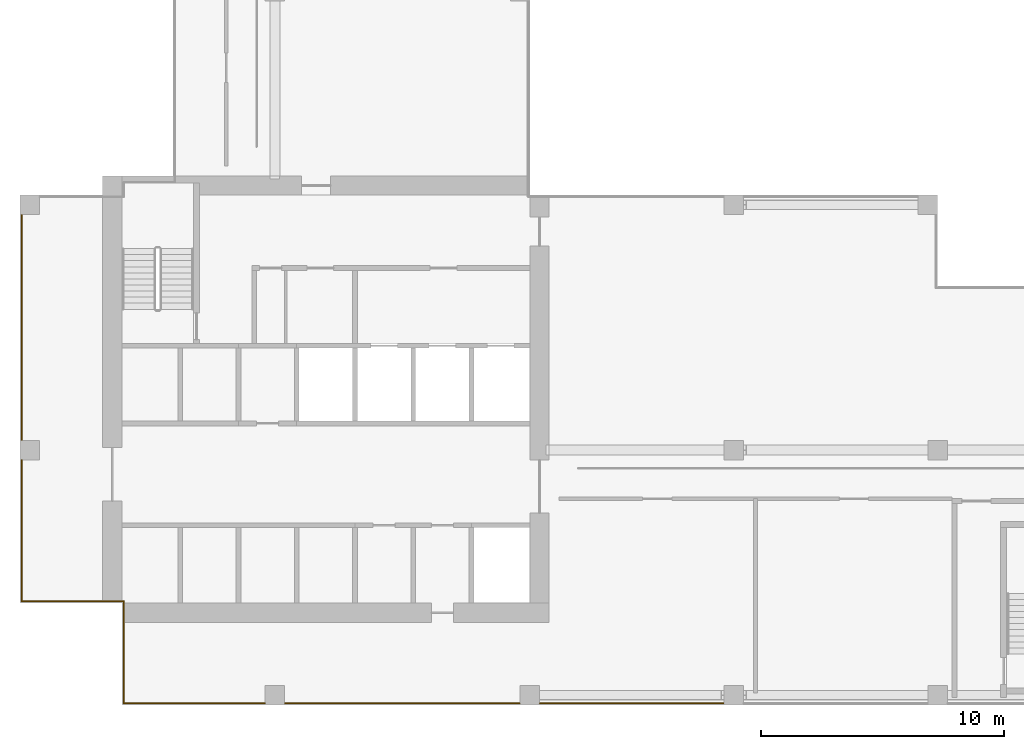
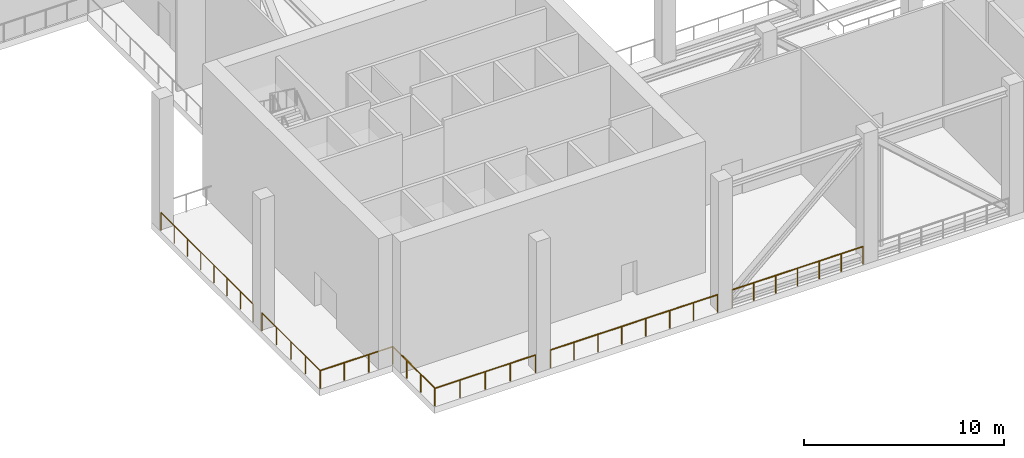
# One storey, part 4 of 9: 7 railings.
"""IFC4 building model written with IfcOpenShell, lengths in metres."""

from ifc_helpers import new_model, si_unit, direction, frame, origin, origin_2d, place, context, subcontext, project, spatial, circle, extrude, source, transform, mapped, material, type_object, element, save


model = new_model("IFC4")

# Units and contexts
model_context = context("Model", 3, precision=1e-05, world=origin(), true_north=direction((0.0, 1.0)))
body_context = subcontext(model_context, "Body", "Model", "MODEL_VIEW")
ifc_project = project(units=[si_unit("LENGTHUNIT", "METRE"), si_unit("AREAUNIT", "SQUARE_METRE"), si_unit("VOLUMEUNIT", "CUBIC_METRE"), si_unit("PLANEANGLEUNIT", "RADIAN"), si_unit("MASSUNIT", "GRAM", prefix="KILO")], contexts=[model_context])

# Site, building, storey
site_placement = place(None, origin())
site = spatial("IfcSite", under=ifc_project, at=site_placement, CompositionType="ELEMENT")
building_placement = place(site_placement, origin())
building = spatial("IfcBuilding", under=site, at=building_placement, Name="Aurelian Terraces", CompositionType="ELEMENT")
storey_placement = place(building_placement, frame((0.0, 0.0, 269.0)))
storey = spatial("IfcBuildingStorey", under=building, at=storey_placement, Name="L62", CompositionType="ELEMENT", Elevation=269.0)

# Railings
ifc_material = material(Name="Anodised aluminium", Category="aluminium")
railing_type = type_object("IfcRailingType", Name="GUARD-1100", PredefinedType="GUARDRAIL", material=ifc_material)
railing_1_placement = place(storey_placement, frame((20.58, 0.07, 0.0)))
element("IfcRailing", 1, at=railing_1_placement, inside=storey, type_object=railing_type, Name="Wind floor guard L62 7", PredefinedType="GUARDRAIL", context=body_context, shape_type="SweptSolid", body=[
    extrude(circle(Radius=0.024, at=origin_2d()), frame((0.0, 0.0, 1.076), z_axis=(-1.0, 0.0, 0.0), x_axis=(0.0, -1.0, 0.0)), (0.0, 0.0, 1.0), 9.66),
    extrude(circle(Radius=0.021, at=origin_2d()), origin(), (0.0, 0.0, 1.0), 1.052),
    extrude(circle(Radius=0.021, at=origin_2d()), frame((-1.38, 0.0, 0.0)), (0.0, 0.0, 1.0), 1.052),
    extrude(circle(Radius=0.021, at=origin_2d()), frame((-2.76, 0.0, 0.0)), (0.0, 0.0, 1.0), 1.052),
    extrude(circle(Radius=0.021, at=origin_2d()), frame((-4.14, 0.0, 0.0)), (0.0, 0.0, 1.0), 1.052),
    extrude(circle(Radius=0.021, at=origin_2d()), frame((-5.52, 0.0, 0.0)), (0.0, 0.0, 1.0), 1.052),
    extrude(circle(Radius=0.021, at=origin_2d()), frame((-6.9, 0.0, 0.0)), (0.0, 0.0, 1.0), 1.052),
    extrude(circle(Radius=0.021, at=origin_2d()), frame((-8.28, 0.0, 0.0)), (0.0, 0.0, 1.0), 1.052),
    extrude(circle(Radius=0.021, at=origin_2d()), frame((-9.66, 0.0, 0.0)), (0.0, 0.0, 1.0), 1.052),
])
railing_2_placement = place(storey_placement, frame((10.08, 0.07, 0.0)))
element("IfcRailing", 2, at=railing_2_placement, inside=storey, type_object=railing_type, Name="Wind floor guard L62 8", PredefinedType="GUARDRAIL", context=body_context, shape_type="SweptSolid", body=[
    extrude(circle(Radius=0.024, at=origin_2d()), frame((0.0, 0.0, 1.076), z_axis=(-1.0, 0.0, 0.0), x_axis=(0.0, -1.0, 0.0)), (0.0, 0.0, 1.0), 5.81),
    extrude(circle(Radius=0.021, at=origin_2d()), origin(), (0.0, 0.0, 1.0), 1.052),
    extrude(circle(Radius=0.021, at=origin_2d()), frame((-1.4525, 0.0, 0.0)), (0.0, 0.0, 1.0), 1.052),
    extrude(circle(Radius=0.021, at=origin_2d()), frame((-2.905, 0.0, 0.0)), (0.0, 0.0, 1.0), 1.052),
    extrude(circle(Radius=0.021, at=origin_2d()), frame((-4.3575, 0.0, 0.0)), (0.0, 0.0, 1.0), 1.052),
    extrude(circle(Radius=0.021, at=origin_2d()), frame((-5.81, 0.0, 0.0)), (0.0, 0.0, 1.0), 1.052),
])
railing_3_placement = place(storey_placement, frame((0.07, 4.27, 0.0)))
element("IfcRailing", 3, at=railing_3_placement, inside=storey, type_object=railing_type, Name="Wind floor guard L62 11", PredefinedType="GUARDRAIL", context=body_context, shape_type="SweptSolid", body=[
    extrude(circle(Radius=0.024, at=origin_2d()), frame((0.0, 0.0, 1.076), z_axis=(0.0, 1.0, 0.0), x_axis=(-1.0, 0.0, 0.0)), (0.0, 0.0, 1.0), 5.81),
    extrude(circle(Radius=0.021, at=origin_2d()), origin(), (0.0, 0.0, 1.0), 1.052),
    extrude(circle(Radius=0.021, at=origin_2d()), frame((0.0, 1.4525, 0.0)), (0.0, 0.0, 1.0), 1.052),
    extrude(circle(Radius=0.021, at=origin_2d()), frame((0.0, 2.905, 0.0)), (0.0, 0.0, 1.0), 1.052),
    extrude(circle(Radius=0.021, at=origin_2d()), frame((0.0, 4.3575, 0.0)), (0.0, 0.0, 1.0), 1.052),
    extrude(circle(Radius=0.021, at=origin_2d()), frame((0.0, 5.81, 0.0)), (0.0, 0.0, 1.0), 1.052),
])
railing_4_placement = place(storey_placement, frame((0.07, 10.92, 0.0)))
element("IfcRailing", 4, at=railing_4_placement, inside=storey, type_object=railing_type, Name="Wind floor guard L62 12", PredefinedType="GUARDRAIL", context=body_context, shape_type="SweptSolid", body=[
    extrude(circle(Radius=0.024, at=origin_2d()), frame((0.0, 0.0, 1.076), z_axis=(0.0, 1.0, 0.0), x_axis=(-1.0, 0.0, 0.0)), (0.0, 0.0, 1.0), 9.26),
    extrude(circle(Radius=0.021, at=origin_2d()), origin(), (0.0, 0.0, 1.0), 1.052),
    extrude(circle(Radius=0.021, at=origin_2d()), frame((0.0, 1.3229, 0.0)), (0.0, 0.0, 1.0), 1.052),
    extrude(circle(Radius=0.021, at=origin_2d()), frame((0.0, 2.6457, 0.0)), (0.0, 0.0, 1.0), 1.052),
    extrude(circle(Radius=0.021, at=origin_2d()), frame((0.0, 3.9686, 0.0)), (0.0, 0.0, 1.0), 1.052),
    extrude(circle(Radius=0.021, at=origin_2d()), frame((0.0, 5.2914, 0.0)), (0.0, 0.0, 1.0), 1.052),
    extrude(circle(Radius=0.021, at=origin_2d()), frame((0.0, 6.6143, 0.0)), (0.0, 0.0, 1.0), 1.052),
    extrude(circle(Radius=0.021, at=origin_2d()), frame((0.0, 7.9371, 0.0)), (0.0, 0.0, 1.0), 1.052),
    extrude(circle(Radius=0.021, at=origin_2d()), frame((0.0, 9.26, 0.0)), (0.0, 0.0, 1.0), 1.052),
])
shared_shape_1 = source(origin(), body_context, "Body", "SweptSolid", [
    extrude(circle(Radius=0.024, at=origin_2d()), frame((0.0, 0.0, 1.076), z_axis=(-1.0, 0.0, 0.0), x_axis=(0.0, -1.0, 0.0)), (0.0, 0.0, 1.0), 4.2),
    extrude(circle(Radius=0.021, at=origin_2d()), origin(), (0.0, 0.0, 1.0), 1.052),
    extrude(circle(Radius=0.021, at=origin_2d()), frame((-1.4, 0.0, 0.0)), (0.0, 0.0, 1.0), 1.052),
    extrude(circle(Radius=0.021, at=origin_2d()), frame((-2.8, 0.0, 0.0)), (0.0, 0.0, 1.0), 1.052),
    extrude(circle(Radius=0.021, at=origin_2d()), frame((-4.2, 0.0, 0.0)), (0.0, 0.0, 1.0), 1.052),
])
railing_5_placement = place(storey_placement, frame((4.27, 4.27, 0.0)))
element("IfcRailing", 5, at=railing_5_placement, inside=storey, type_object=railing_type, Name="Wind floor guard L62 10", PredefinedType="GUARDRAIL", context=body_context, shape_type="MappedRepresentation", body=[
    mapped(shared_shape_1, transform((0.0, 0.0, 0.0), scale=1.0)),
])
shared_shape_2 = source(origin(), body_context, "Body", "SweptSolid", [
    extrude(circle(Radius=0.024, at=origin_2d()), frame((0.0, 0.0, 1.076), z_axis=(-1.0, 0.0, 0.0), x_axis=(0.0, -1.0, 0.0)), (0.0, 0.0, 1.0), 7.56),
    extrude(circle(Radius=0.021, at=origin_2d()), origin(), (0.0, 0.0, 1.0), 1.052),
    extrude(circle(Radius=0.021, at=origin_2d()), frame((-1.26, 0.0, 0.0)), (0.0, 0.0, 1.0), 1.052),
    extrude(circle(Radius=0.021, at=origin_2d()), frame((-2.52, 0.0, 0.0)), (0.0, 0.0, 1.0), 1.052),
    extrude(circle(Radius=0.021, at=origin_2d()), frame((-3.78, 0.0, 0.0)), (0.0, 0.0, 1.0), 1.052),
    extrude(circle(Radius=0.021, at=origin_2d()), frame((-5.04, 0.0, 0.0)), (0.0, 0.0, 1.0), 1.052),
    extrude(circle(Radius=0.021, at=origin_2d()), frame((-6.3, 0.0, 0.0)), (0.0, 0.0, 1.0), 1.052),
    extrude(circle(Radius=0.021, at=origin_2d()), frame((-7.56, 0.0, 0.0)), (0.0, 0.0, 1.0), 1.052),
])
railing_6_placement = place(storey_placement, frame((28.98, 0.07, 0.0)))
element("IfcRailing", 6, at=railing_6_placement, inside=storey, type_object=railing_type, Name="Wind floor guard L62 6", PredefinedType="GUARDRAIL", context=body_context, shape_type="MappedRepresentation", body=[
    mapped(shared_shape_2, transform((0.0, 0.0, 0.0), scale=1.0)),
])
shared_shape_3 = source(origin(), body_context, "Body", "SweptSolid", [
    extrude(circle(Radius=0.024, at=origin_2d()), frame((0.0, 0.0, 1.076), z_axis=(0.0, 1.0, 0.0), x_axis=(-1.0, 0.0, 0.0)), (0.0, 0.0, 1.0), 4.2),
    extrude(circle(Radius=0.021, at=origin_2d()), origin(), (0.0, 0.0, 1.0), 1.052),
    extrude(circle(Radius=0.021, at=origin_2d()), frame((0.0, 1.4, 0.0)), (0.0, 0.0, 1.0), 1.052),
    extrude(circle(Radius=0.021, at=origin_2d()), frame((0.0, 2.8, 0.0)), (0.0, 0.0, 1.0), 1.052),
    extrude(circle(Radius=0.021, at=origin_2d()), frame((0.0, 4.2, 0.0)), (0.0, 0.0, 1.0), 1.052),
])
railing_7_placement = place(storey_placement, frame((4.27, 0.07, 0.0)))
element("IfcRailing", 7, at=railing_7_placement, inside=storey, type_object=railing_type, Name="Wind floor guard L62 9", PredefinedType="GUARDRAIL", context=body_context, shape_type="MappedRepresentation", body=[
    mapped(shared_shape_3, transform((0.0, 0.0, 0.0), scale=1.0)),
])

save(model, "model.ifc")
